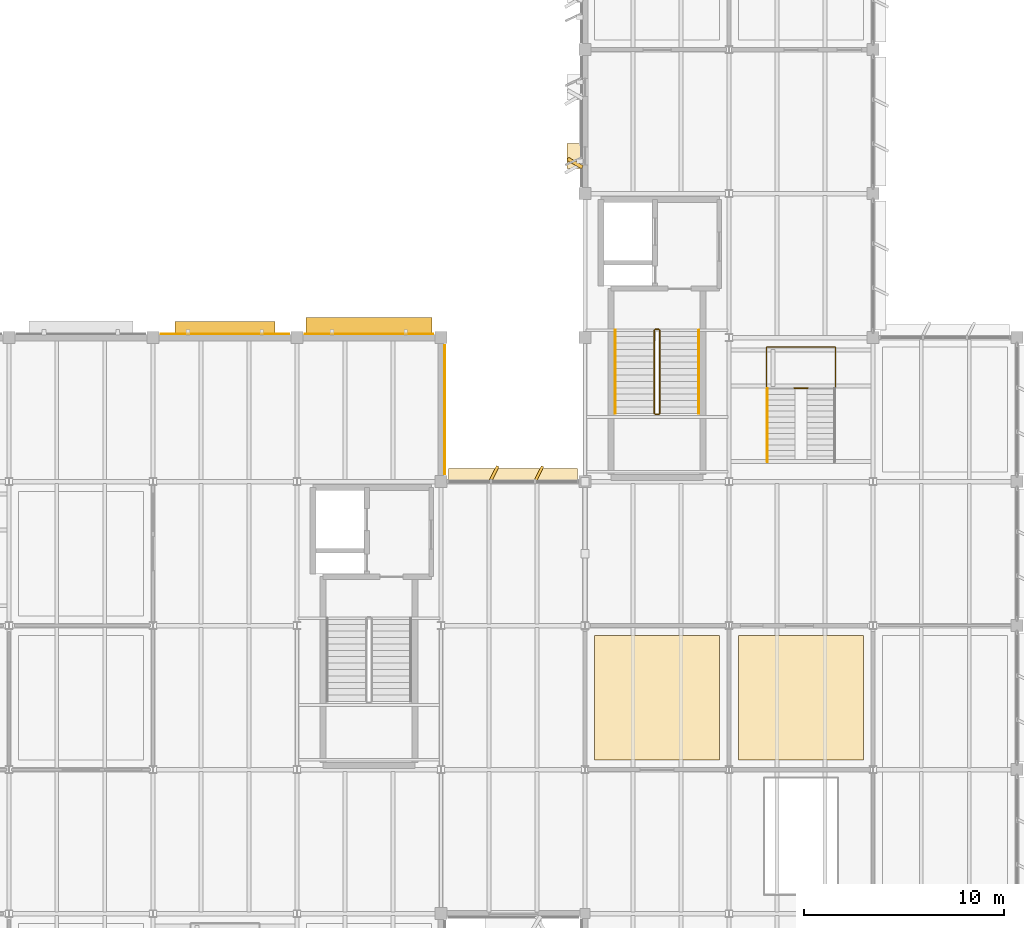
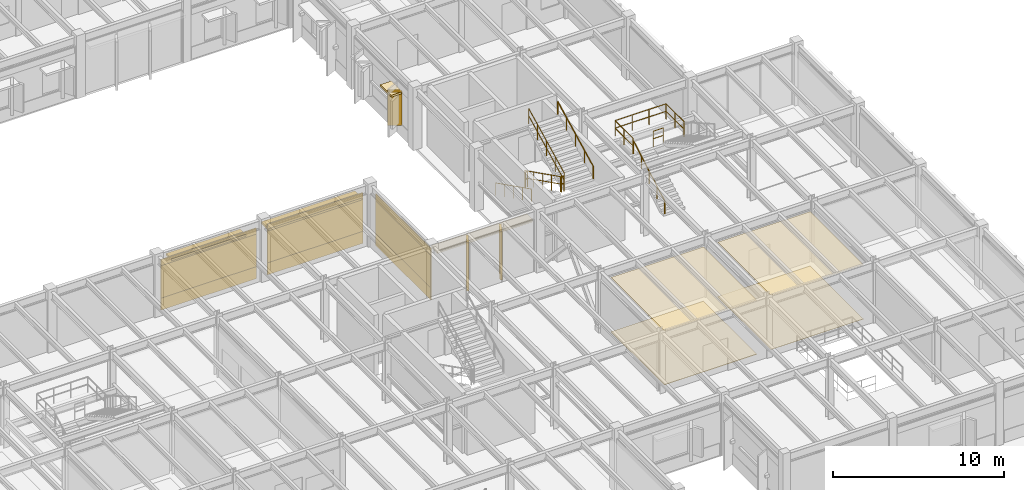
# One storey, part 84 of 92: 18 coverings, 9 railings, 2 shading devices.
"""IFC4 building model written with IfcOpenShell, lengths in metres."""

from ifc_helpers import new_model, si_unit, direction, frame, frame_2d, origin, origin_2d, place, context, subcontext, project, spatial, polyline, rectangle, circle, outline, extrude, material, layer, layer_set, type_object, element, save


model = new_model("IFC4")

# Units and contexts
model_context = context("Model", 3, precision=1e-05, world=origin(), true_north=direction((0.0, 1.0)))
body_context = subcontext(model_context, "Body", "Model", "MODEL_VIEW")
ifc_project = project(units=[si_unit("LENGTHUNIT", "METRE"), si_unit("AREAUNIT", "SQUARE_METRE"), si_unit("VOLUMEUNIT", "CUBIC_METRE"), si_unit("PLANEANGLEUNIT", "RADIAN"), si_unit("MASSUNIT", "GRAM", prefix="KILO")], contexts=[model_context])

# Site, building, storey
site_placement = place(None, origin())
site = spatial("IfcSite", under=ifc_project, at=site_placement, CompositionType="ELEMENT")
building_placement = place(site_placement, origin())
building = spatial("IfcBuilding", under=site, at=building_placement, Name="Sillqori Civic Hall", CompositionType="ELEMENT")
storey_placement = place(building_placement, frame((0.0, 0.0, 5.39990234375)))
storey = spatial("IfcBuildingStorey", under=building, at=storey_placement, Name="L02", CompositionType="ELEMENT", Elevation=5.39990234375)

# Coverings
ifc_material_1 = material(Name="Perforated Acoustic Gypsum Board Ceiling", Category="gypsum")
ifc_layer_1 = layer(ifc_material_1, 0.030029296875)
ifc_layer_set_1 = layer_set([ifc_layer_1], Name="Perforated Acoustic Gypsum Board Ceiling")
covering_type_1 = type_object("IfcCoveringType", Name="COV-CEIL-GYP", PredefinedType="CEILING", material=ifc_layer_set_1)
covering_1_placement = place(storey_placement, frame((0.0, 0.0, 3.87109375)))
element("IfcCovering", 1, at=covering_1_placement, inside=storey, type_object=covering_type_1, Name="Members Library Main Reading Room acoustic ceiling", PredefinedType="CEILING", context=body_context, shape_type="SweptSolid", body=[
    extrude(outline(polyline([(122.8798828125, 36.47998046875), (129.1201171875, 36.47998046875), (129.1201171875, 42.719970703125), (122.8798828125, 42.719970703125), (122.8798828125, 36.47998046875)])), origin(), (0.0, 0.0, 1.0), 0.030029296875),
])
ifc_material_2 = material(Name="Mineral-Fibre High-NRC Tile Ceiling", Category="gypsum")
ifc_layer_2 = layer(ifc_material_2, 0.02392578125)
ifc_layer_set_2 = layer_set([ifc_layer_2], Name="Mineral-Fibre High-NRC Tile Ceiling")
covering_type_2 = type_object("IfcCoveringType", Name="COV-CEIL-MIN", PredefinedType="CEILING", material=ifc_layer_set_2)
covering_2_placement = place(storey_placement, frame((0.0, 0.0, 3.877197265625)))
element("IfcCovering", 2, at=covering_2_placement, inside=storey, type_object=covering_type_2, Name="Library Open Book Stacks South acoustic ceiling", PredefinedType="CEILING", context=body_context, shape_type="SweptSolid", body=[
    extrude(outline(polyline([(130.080078125, 36.47998046875), (136.320068359375, 36.47998046875), (136.320068359375, 42.719970703125), (130.080078125, 42.719970703125), (130.080078125, 36.47998046875)])), origin(), (0.0, 0.0, 1.0), 0.02392578125),
])
ifc_material_3 = material(Name="Cochabamba Honed Limestone Cladding", Category="masonry")
ifc_layer_3 = layer(ifc_material_3, 0.044921875)
ifc_layer_set_3 = layer_set([ifc_layer_3], Name="Cochabamba Honed Limestone Cladding")
covering_type_3 = type_object("IfcCoveringType", Name="COV-CLAD-LIME", PredefinedType="CLADDING", material=ifc_layer_set_3)
covering_3_placement = place(storey_placement, frame((101.179931640625, 57.780029296875, 0.0400390625), z_axis=(0.0, 0.0, 1.0), x_axis=(1.0, 0.0, 0.0)))
element("IfcCovering", 3, at=covering_3_placement, inside=storey, type_object=covering_type_3, Name="L02 limestone spandrel cladding L02-14-07-N", PredefinedType="CLADDING", context=body_context, shape_type="SweptSolid", body=[
    extrude(rectangle(XDim=6.440185546875, YDim=0.044921875, at=frame_2d((3.22021484375, 0.0))), origin(), (0.0, 0.0, 1.0), 0.860107421875),
])
covering_4_placement = place(storey_placement, frame((101.179931640625, 57.780029296875, 3.22021484375), z_axis=(0.0, 0.0, 1.0), x_axis=(1.0, 0.0, 0.0)))
element("IfcCovering", 4, at=covering_4_placement, inside=storey, type_object=covering_type_3, Name="L02 limestone frieze cladding L02-14-07-N", PredefinedType="CLADDING", context=body_context, shape_type="SweptSolid", body=[
    extrude(rectangle(XDim=6.440185546875, YDim=0.044921875, at=frame_2d((3.22021484375, 0.0))), origin(), (0.0, 0.0, 1.0), 0.43798828125),
])
covering_5_placement = place(storey_placement, frame((101.179931640625, 57.780029296875, 0.900146484375), z_axis=(0.0, 0.0, 1.0), x_axis=(1.0, 0.0, 0.0)))
element("IfcCovering", 5, at=covering_5_placement, inside=storey, type_object=covering_type_3, Name="L02 Wedge Hall limestone pier cladding L02-14-07-N.1", PredefinedType="CLADDING", context=body_context, shape_type="SweptSolid", body=[
    extrude(rectangle(XDim=6.440185546875, YDim=0.044921875, at=frame_2d((3.22021484375, 0.0))), origin(), (0.0, 0.0, 1.0), 2.758056640625),
])
covering_6_placement = place(storey_placement, frame((108.3798828125, 57.780029296875, 0.0400390625), z_axis=(0.0, 0.0, 1.0), x_axis=(1.0, 0.0, 0.0)))
element("IfcCovering", 6, at=covering_6_placement, inside=storey, type_object=covering_type_3, Name="L02 limestone spandrel cladding L02-15-07-N", PredefinedType="CLADDING", context=body_context, shape_type="SweptSolid", body=[
    extrude(rectangle(XDim=6.440185546875, YDim=0.044921875, at=frame_2d((3.22021484375, 0.0))), origin(), (0.0, 0.0, 1.0), 0.860107421875),
])
covering_7_placement = place(storey_placement, frame((108.3798828125, 57.780029296875, 3.22021484375), z_axis=(0.0, 0.0, 1.0), x_axis=(1.0, 0.0, 0.0)))
element("IfcCovering", 7, at=covering_7_placement, inside=storey, type_object=covering_type_3, Name="L02 limestone frieze cladding L02-15-07-N", PredefinedType="CLADDING", context=body_context, shape_type="SweptSolid", body=[
    extrude(rectangle(XDim=6.440185546875, YDim=0.044921875, at=frame_2d((3.22021484375, 0.0))), origin(), (0.0, 0.0, 1.0), 0.43798828125),
])
covering_8_placement = place(storey_placement, frame((108.3798828125, 57.780029296875, 0.900146484375), z_axis=(0.0, 0.0, 1.0), x_axis=(1.0, 0.0, 0.0)))
element("IfcCovering", 8, at=covering_8_placement, inside=storey, type_object=covering_type_3, Name="L02 Wedge Hall limestone pier cladding L02-15-07-N.1", PredefinedType="CLADDING", context=body_context, shape_type="SweptSolid", body=[
    extrude(rectangle(XDim=6.440185546875, YDim=0.044921875, at=frame_2d((3.22021484375, 0.0))), origin(), (0.0, 0.0, 1.0), 2.758056640625),
])
covering_9_placement = place(storey_placement, frame((115.3798828125, 57.219970703125, 0.0400390625), z_axis=(0.0, 0.0, 1.0), x_axis=(0.0, -1.0, 0.0)))
element("IfcCovering", 9, at=covering_9_placement, inside=storey, type_object=covering_type_3, Name="L02 limestone spandrel cladding L02-15-07-E", PredefinedType="CLADDING", context=body_context, shape_type="SweptSolid", body=[
    extrude(rectangle(XDim=6.43994140625, YDim=0.044921875, at=frame_2d((3.219970703125, 0.0))), origin(), (0.0, 0.0, 1.0), 0.860107421875),
])
covering_10_placement = place(storey_placement, frame((115.3798828125, 57.219970703125, 3.22021484375), z_axis=(0.0, 0.0, 1.0), x_axis=(0.0, -1.0, 0.0)))
element("IfcCovering", 10, at=covering_10_placement, inside=storey, type_object=covering_type_3, Name="L02 limestone frieze cladding L02-15-07-E", PredefinedType="CLADDING", context=body_context, shape_type="SweptSolid", body=[
    extrude(rectangle(XDim=6.43994140625, YDim=0.044921875, at=frame_2d((3.219970703125, 0.0))), origin(), (0.0, 0.0, 1.0), 0.5068359375),
])
covering_11_placement = place(storey_placement, frame((115.3798828125, 57.219970703125, 0.900146484375), z_axis=(0.0, 0.0, 1.0), x_axis=(0.0, -1.0, 0.0)))
element("IfcCovering", 11, at=covering_11_placement, inside=storey, type_object=covering_type_3, Name="L02 Wedge Hall limestone pier cladding L02-15-07-E.1", PredefinedType="CLADDING", context=body_context, shape_type="SweptSolid", body=[
    extrude(rectangle(XDim=6.43994140625, YDim=0.044921875, at=frame_2d((3.219970703125, 0.0))), origin(), (0.0, 0.0, 1.0), 2.826904296875),
])
covering_12_placement = place(storey_placement, frame((115.580078125, 50.719970703125, 3.51806640625), z_axis=(0.0, 0.0, 1.0), x_axis=(1.0, 0.0, 0.0)))
element("IfcCovering", 12, at=covering_12_placement, inside=storey, type_object=covering_type_3, Name="L02 curtain-wall limestone solar hood L02-16-06-N", PredefinedType="CLADDING", context=body_context, shape_type="SweptSolid", body=[
    extrude(rectangle(XDim=6.43994140625, YDim=0.679931640625, at=frame_2d((3.219970703125, 0.0))), origin(), (0.0, 0.0, 1.0), 0.179931640625),
])
for number, where, z_axis, x_axis, name in (
    (13, (117.677978515625, 50.449951171875, 0.06005859375), (0.0, 0.0, 1.0), (0.447334902547, 0.894366527193, 0.0), "L02 curtain-wall angled stone fin L02-16-06-N.1"),
    (14, (119.922119140625, 50.449951171875, 0.06005859375), (0.0, 0.0, 1.0), (0.44709226377, 0.894487846579, 0.0), "L02 curtain-wall angled stone fin L02-16-06-N.2"),
):
    element("IfcCovering", number, at=place(storey_placement, frame(where, z_axis=z_axis, x_axis=x_axis)), inside=storey, type_object=covering_type_3, Name=name, PredefinedType="CLADDING", context=body_context, shape_type="SweptSolid", body=[
        extrude(rectangle(XDim=0.804931640625, YDim=0.139892578125, at=frame_2d((0.40234375, 0.0))), origin(), (0.0, 0.0, 1.0), 3.4580078125),
    ])
covering_13_placement = place(storey_placement, frame((122.27001953125, 66.114013671875, 0.830078125), z_axis=(0.0, 0.0, 1.0), x_axis=(-0.865989465428, 0.500062241894, 0.0)))
element("IfcCovering", 15, at=covering_13_placement, inside=storey, type_object=covering_type_3, Name="Sawtooth limestone angled reveal cheek L02-17-09-W.1", PredefinedType="CLADDING", context=body_context, shape_type="SweptSolid", body=[
    extrude(rectangle(XDim=0.85009765625, YDim=0.179931640625, at=frame_2d((0.425048828125, 0.0))), origin(), (0.0, 0.0, 1.0), 2.39990234375),
])
covering_14_placement = place(storey_placement, frame((121.889892578125, 66.053955078125, 3.090087890625), z_axis=(0.0, 0.0, 1.0), x_axis=(0.0, 1.0, 0.0)))
element("IfcCovering", 16, at=covering_14_placement, inside=storey, type_object=covering_type_3, Name="Sawtooth limestone window hood L02-17-09-W.1", PredefinedType="CLADDING", context=body_context, shape_type="SweptSolid", body=[
    extrude(rectangle(XDim=1.260009765625, YDim=0.780029296875, at=frame_2d((0.6298828125, 0.0))), origin(), (0.0, 0.0, 1.0), 0.139892578125),
])
ifc_material_4 = material(Name="Slip-Resistant R11 Porcelain Tile", Category="ceramic")
ifc_layer_4 = layer(ifc_material_4, 0.02001953125)
ifc_layer_set_4 = layer_set([ifc_layer_4], Name="Slip-Resistant R11 Porcelain Tile")
covering_type_4 = type_object("IfcCoveringType", Name="COV-FLR-POR", PredefinedType="FLOORING", material=ifc_layer_set_4)
covering_15_placement = place(storey_placement, origin())
element("IfcCovering", 17, at=covering_15_placement, inside=storey, type_object=covering_type_4, Name="Library Open Book Stacks South floor finish", PredefinedType="FLOORING", context=body_context, shape_type="SweptSolid", body=[
    extrude(outline(polyline([(130.080078125, 36.47998046875), (136.320068359375, 36.47998046875), (136.320068359375, 42.719970703125), (130.080078125, 42.719970703125), (130.080078125, 36.47998046875)])), origin(), (0.0, 0.0, 1.0), 0.02001953125),
])
ifc_material_5 = material(Name="Honed Cochabamba Limestone Terrazzo", Category="masonry")
ifc_layer_5 = layer(ifc_material_5, 0.031982421875)
ifc_layer_set_5 = layer_set([ifc_layer_5], Name="Honed Cochabamba Limestone Terrazzo")
covering_type_5 = type_object("IfcCoveringType", Name="COV-FLR-TRZ", PredefinedType="FLOORING", material=ifc_layer_set_5)
covering_16_placement = place(storey_placement, origin())
element("IfcCovering", 18, at=covering_16_placement, inside=storey, type_object=covering_type_5, Name="Members Library Main Reading Room floor finish", PredefinedType="FLOORING", context=body_context, shape_type="SweptSolid", body=[
    extrude(outline(polyline([(122.8798828125, 36.47998046875), (129.1201171875, 36.47998046875), (129.1201171875, 42.719970703125), (122.8798828125, 42.719970703125), (122.8798828125, 36.47998046875)])), origin(), (0.0, 0.0, 1.0), 0.031982421875),
])

# Railings
ifc_material_6 = material(Name="Brushed Stainless Steel 316 Handrail", Category="steel")
ifc_layer_6 = layer(ifc_material_6, 0.044921875)
ifc_layer_set_6 = layer_set([ifc_layer_6], Name="Brushed Stainless Steel 316 Handrail")
railing_type_1 = type_object("IfcRailingType", Name="RLG-CORE-092", PredefinedType="HANDRAIL", material=ifc_layer_set_6)
railing_1_placement = place(storey_placement, frame((123.909912109375, 57.969970703125, 0.160888671875)))
element("IfcRailing", 19, at=railing_1_placement, inside=storey, type_object=railing_type_1, Name="L02 ST-02 stair handrail 1", PredefinedType="HANDRAIL", context=body_context, shape_type="SweptSolid", body=[
    extrude(circle(Radius=0.02392578125, at=origin_2d()), frame((0.0, 0.0, 0.8759765625), z_axis=(0.0, -0.893639106791, 0.448786304173), x_axis=(1.0, 0.0, 0.0)), (0.0, 0.0, 1.0), 4.655029296875),
    extrude(circle(Radius=0.02099609375, at=origin_2d()), origin(), (0.0, 0.0, 1.0), 0.851806640625),
    extrude(circle(Radius=0.02099609375, at=origin_2d()), frame((0.0, -1.0400390625, 0.522216796875)), (0.0, 0.0, 1.0), 0.851806640625),
    extrude(circle(Radius=0.02099609375, at=origin_2d()), frame((0.0, -2.080078125, 1.04443359375)), (0.0, 0.0, 1.0), 0.851806640625),
    extrude(circle(Radius=0.02099609375, at=origin_2d()), frame((0.0, -3.119873046875, 1.56689453125)), (0.0, 0.0, 1.0), 0.851806640625),
    extrude(circle(Radius=0.02099609375, at=origin_2d()), frame((0.0, -4.159912109375, 2.089111328125)), (0.0, 0.0, 1.0), 0.851806640625),
])
railing_2_placement = place(storey_placement, frame((128.090087890625, 53.81005859375, 2.410888671875)))
element("IfcRailing", 20, at=railing_2_placement, inside=storey, type_object=railing_type_1, Name="L02 ST-02 stair handrail 2", PredefinedType="HANDRAIL", context=body_context, shape_type="SweptSolid", body=[
    extrude(circle(Radius=0.02392578125, at=origin_2d()), frame((0.0, 0.0, 0.8759765625), z_axis=(0.0, 0.893639106791, 0.448786304173), x_axis=(-1.0, 0.0, 0.0)), (0.0, 0.0, 1.0), 4.655029296875),
    extrude(circle(Radius=0.02099609375, at=origin_2d()), origin(), (0.0, 0.0, 1.0), 0.851806640625),
    extrude(circle(Radius=0.02099609375, at=origin_2d()), frame((0.0, 1.0400390625, 0.522216796875)), (0.0, 0.0, 1.0), 0.851806640625),
    extrude(circle(Radius=0.02099609375, at=origin_2d()), frame((0.0, 2.080078125, 1.04443359375)), (0.0, 0.0, 1.0), 0.851806640625),
    extrude(circle(Radius=0.02099609375, at=origin_2d()), frame((0.0, 3.119873046875, 1.56689453125)), (0.0, 0.0, 1.0), 0.851806640625),
    extrude(circle(Radius=0.02099609375, at=origin_2d()), frame((0.0, 4.159912109375, 2.089111328125)), (0.0, 0.0, 1.0), 0.851806640625),
])
railing_3_placement = place(storey_placement, frame((131.52001953125, 51.39990234375, 0.160888671875)))
element("IfcRailing", 21, at=railing_3_placement, inside=storey, type_object=railing_type_1, Name="Members Library Stacks Stair L02-L03 handrail W", PredefinedType="HANDRAIL", context=body_context, shape_type="SweptSolid", body=[
    extrude(circle(Radius=0.02392578125, at=origin_2d()), frame((0.0, 0.0, 0.89599609375), z_axis=(0.0, 0.867314486057, 0.497760567216), x_axis=(-1.0, 0.0, 0.0)), (0.0, 0.0, 1.0), 4.197021484375),
    extrude(circle(Radius=0.02099609375, at=origin_2d()), origin(), (0.0, 0.0, 1.0), 0.871826171875),
    extrude(circle(Radius=0.02099609375, at=origin_2d()), frame((0.0, 0.91015625, 0.522216796875)), (0.0, 0.0, 1.0), 0.871826171875),
    extrude(circle(Radius=0.02099609375, at=origin_2d()), frame((0.0, 1.820068359375, 1.04443359375)), (0.0, 0.0, 1.0), 0.871826171875),
    extrude(circle(Radius=0.02099609375, at=origin_2d()), frame((0.0, 2.72998046875, 1.56689453125)), (0.0, 0.0, 1.0), 0.871826171875),
    extrude(circle(Radius=0.02099609375, at=origin_2d()), frame((0.0, 3.64013671875, 2.089111328125)), (0.0, 0.0, 1.0), 0.871826171875),
])
ifc_material_7 = material(Name="Galvanized Painted Steel Guardrail", Category="steel")
ifc_layer_7 = layer(ifc_material_7, 0.050048828125)
ifc_layer_set_7 = layer_set([ifc_layer_7], Name="Galvanized Painted Steel Guardrail")
railing_type_2 = type_object("IfcRailingType", Name="RLG-CORE-110", PredefinedType="GUARDRAIL", material=ifc_layer_set_7)
railing_4_placement = place(storey_placement, frame((125.8701171875, 57.969970703125, 0.160888671875)))
element("IfcRailing", 22, at=railing_4_placement, inside=storey, type_object=railing_type_2, Name="L02 ST-02 stair guard 1", PredefinedType="GUARDRAIL", context=body_context, shape_type="SweptSolid", body=[
    extrude(circle(Radius=0.02392578125, at=origin_2d()), frame((0.0, 0.0, 1.076171875), z_axis=(0.0, -0.893639106791, 0.448786304173), x_axis=(1.0, 0.0, 0.0)), (0.0, 0.0, 1.0), 4.655029296875),
    extrude(circle(Radius=0.02392578125, at=origin_2d()), frame((0.0, 0.0, 0.550048828125), z_axis=(0.0, -0.893639106791, 0.448786304173), x_axis=(1.0, 0.0, 0.0)), (0.0, 0.0, 1.0), 4.655029296875),
    extrude(circle(Radius=0.02099609375, at=origin_2d()), origin(), (0.0, 0.0, 1.0), 1.052001953125),
    extrude(circle(Radius=0.02099609375, at=origin_2d()), frame((0.0, -1.0400390625, 0.522216796875)), (0.0, 0.0, 1.0), 1.052001953125),
    extrude(circle(Radius=0.02099609375, at=origin_2d()), frame((0.0, -2.080078125, 1.04443359375)), (0.0, 0.0, 1.0), 1.052001953125),
    extrude(circle(Radius=0.02099609375, at=origin_2d()), frame((0.0, -3.119873046875, 1.56689453125)), (0.0, 0.0, 1.0), 1.052001953125),
    extrude(circle(Radius=0.02099609375, at=origin_2d()), frame((0.0, -4.159912109375, 2.089111328125)), (0.0, 0.0, 1.0), 1.052001953125),
])
railing_5_placement = place(storey_placement, frame((125.919921875, 53.760009765625, 2.25)))
element("IfcRailing", 23, at=railing_5_placement, inside=storey, type_object=railing_type_2, Name="L02 ST-02 stair guard 2", PredefinedType="GUARDRAIL", context=body_context, shape_type="SweptSolid", body=[
    extrude(circle(Radius=0.02392578125, at=origin_2d()), frame((0.0, 0.0, 1.076171875), z_axis=(1.0, 0.0, 0.0), x_axis=(0.0, 1.0, 0.0)), (0.0, 0.0, 1.0), 0.16015625),
    extrude(circle(Radius=0.02392578125, at=origin_2d()), frame((0.0, 0.0, 0.550048828125), z_axis=(1.0, 0.0, 0.0), x_axis=(0.0, 1.0, 0.0)), (0.0, 0.0, 1.0), 0.16015625),
    extrude(circle(Radius=0.02099609375, at=origin_2d()), origin(), (0.0, 0.0, 1.0), 1.052001953125),
    extrude(circle(Radius=0.02099609375, at=origin_2d()), frame((0.16015625, 0.0, 0.0)), (0.0, 0.0, 1.0), 1.052001953125),
])
railing_6_placement = place(storey_placement, frame((126.1298828125, 53.81005859375, 2.410888671875)))
element("IfcRailing", 24, at=railing_6_placement, inside=storey, type_object=railing_type_2, Name="L02 ST-02 stair guard 3", PredefinedType="GUARDRAIL", context=body_context, shape_type="SweptSolid", body=[
    extrude(circle(Radius=0.02392578125, at=origin_2d()), frame((0.0, 0.0, 1.076171875), z_axis=(0.0, 0.893639106791, 0.448786304173), x_axis=(-1.0, 0.0, 0.0)), (0.0, 0.0, 1.0), 4.655029296875),
    extrude(circle(Radius=0.02392578125, at=origin_2d()), frame((0.0, 0.0, 0.550048828125), z_axis=(0.0, 0.893639106791, 0.448786304173), x_axis=(-1.0, 0.0, 0.0)), (0.0, 0.0, 1.0), 4.655029296875),
    extrude(circle(Radius=0.02099609375, at=origin_2d()), origin(), (0.0, 0.0, 1.0), 1.052001953125),
    extrude(circle(Radius=0.02099609375, at=origin_2d()), frame((0.0, 1.0400390625, 0.522216796875)), (0.0, 0.0, 1.0), 1.052001953125),
    extrude(circle(Radius=0.02099609375, at=origin_2d()), frame((0.0, 2.080078125, 1.04443359375)), (0.0, 0.0, 1.0), 1.052001953125),
    extrude(circle(Radius=0.02099609375, at=origin_2d()), frame((0.0, 3.119873046875, 1.56689453125)), (0.0, 0.0, 1.0), 1.052001953125),
    extrude(circle(Radius=0.02099609375, at=origin_2d()), frame((0.0, 4.159912109375, 2.089111328125)), (0.0, 0.0, 1.0), 1.052001953125),
])
railing_7_placement = place(storey_placement, frame((125.919921875, 58.02001953125, 0.0)))
element("IfcRailing", 25, at=railing_7_placement, inside=storey, type_object=railing_type_2, Name="L02 ST-02 stair guard 4", PredefinedType="GUARDRAIL", context=body_context, shape_type="SweptSolid", body=[
    extrude(circle(Radius=0.02392578125, at=origin_2d()), frame((0.0, 0.0, 1.076171875), z_axis=(1.0, 0.0, 0.0), x_axis=(0.0, 1.0, 0.0)), (0.0, 0.0, 1.0), 0.16015625),
    extrude(circle(Radius=0.02392578125, at=origin_2d()), frame((0.0, 0.0, 0.550048828125), z_axis=(1.0, 0.0, 0.0), x_axis=(0.0, 1.0, 0.0)), (0.0, 0.0, 1.0), 0.16015625),
    extrude(circle(Radius=0.02099609375, at=origin_2d()), origin(), (0.0, 0.0, 1.0), 1.052001953125),
    extrude(circle(Radius=0.02099609375, at=origin_2d()), frame((0.16015625, 0.0, 0.0)), (0.0, 0.0, 1.0), 1.052001953125),
])
ifc_material_8 = material(Name="Stainless Steel 316 and Laminated Balustrade", Category="steel")
ifc_layer_8 = layer(ifc_material_8, 0.06005859375)
ifc_layer_set_8 = layer_set([ifc_layer_8], Name="Stainless Steel 316 and Laminated Balustrade")
railing_type_3 = type_object("IfcRailingType", Name="RLG-TERR-112", PredefinedType="GUARDRAIL", material=ifc_layer_set_8)
railing_8_placement = place(storey_placement, frame((131.47998046875, 55.0400390625, 2.25)))
element("IfcRailing", 26, at=railing_8_placement, inside=storey, type_object=railing_type_3, Name="Members Library Stacks Stair L02-L03 half-landing guard", PredefinedType="GUARDRAIL", context=body_context, shape_type="SweptSolid", body=[
    extrude(circle(Radius=0.02392578125, at=origin_2d()), frame((0.0, 0.0, 1.09619140625), z_axis=(0.0, 1.0, 0.0), x_axis=(-1.0, 0.0, 0.0)), (0.0, 0.0, 1.0), 2.08984375),
    extrude(circle(Radius=0.02392578125, at=origin_2d()), frame((0.0, 0.0, 0.56005859375), z_axis=(0.0, 1.0, 0.0), x_axis=(-1.0, 0.0, 0.0)), (0.0, 0.0, 1.0), 2.08984375),
    extrude(circle(Radius=0.02392578125, at=origin_2d()), frame((0.0, 2.08984375, 1.09619140625), z_axis=(1.0, 0.0, 0.0), x_axis=(0.0, 1.0, 0.0)), (0.0, 0.0, 1.0), 3.43994140625),
    extrude(circle(Radius=0.02392578125, at=origin_2d()), frame((0.0, 2.08984375, 0.56005859375), z_axis=(1.0, 0.0, 0.0), x_axis=(0.0, 1.0, 0.0)), (0.0, 0.0, 1.0), 3.43994140625),
    extrude(circle(Radius=0.02392578125, at=origin_2d()), frame((3.43994140625, 2.08984375, 1.09619140625), z_axis=(0.0, -1.0, 0.0), x_axis=(1.0, 0.0, 0.0)), (0.0, 0.0, 1.0), 2.08984375),
    extrude(circle(Radius=0.02392578125, at=origin_2d()), frame((3.43994140625, 2.08984375, 0.56005859375), z_axis=(0.0, -1.0, 0.0), x_axis=(1.0, 0.0, 0.0)), (0.0, 0.0, 1.0), 2.08984375),
    extrude(circle(Radius=0.02099609375, at=origin_2d()), origin(), (0.0, 0.0, 1.0), 1.072021484375),
    extrude(circle(Radius=0.02099609375, at=origin_2d()), frame((0.0, 1.044921875, 0.0)), (0.0, 0.0, 1.0), 1.072021484375),
    extrude(circle(Radius=0.02099609375, at=origin_2d()), frame((0.0, 2.08984375, 0.0)), (0.0, 0.0, 1.0), 1.072021484375),
    extrude(circle(Radius=0.02099609375, at=origin_2d()), frame((1.146728515625, 2.08984375, 0.0)), (0.0, 0.0, 1.0), 1.072021484375),
    extrude(circle(Radius=0.02099609375, at=origin_2d()), frame((2.293212890625, 2.08984375, 0.0)), (0.0, 0.0, 1.0), 1.072021484375),
    extrude(circle(Radius=0.02099609375, at=origin_2d()), frame((3.43994140625, 2.08984375, 0.0)), (0.0, 0.0, 1.0), 1.072021484375),
    extrude(circle(Radius=0.02099609375, at=origin_2d()), frame((3.43994140625, 1.044921875, 0.0)), (0.0, 0.0, 1.0), 1.072021484375),
    extrude(circle(Radius=0.02099609375, at=origin_2d()), frame((3.43994140625, 0.0, 0.0)), (0.0, 0.0, 1.0), 1.072021484375),
])
railing_9_placement = place(storey_placement, frame((132.860107421875, 55.080078125, 2.25)))
element("IfcRailing", 27, at=railing_9_placement, inside=storey, type_object=railing_type_3, Name="Members Library Stacks Stair L02-L03 half-landing inner well guard", PredefinedType="GUARDRAIL", context=body_context, shape_type="SweptSolid", body=[
    extrude(circle(Radius=0.02392578125, at=origin_2d()), frame((0.0, 0.0, 1.09619140625), z_axis=(1.0, 0.0, 0.0), x_axis=(0.0, 1.0, 0.0)), (0.0, 0.0, 1.0), 0.679931640625),
    extrude(circle(Radius=0.02392578125, at=origin_2d()), frame((0.0, 0.0, 0.56005859375), z_axis=(1.0, 0.0, 0.0), x_axis=(0.0, 1.0, 0.0)), (0.0, 0.0, 1.0), 0.679931640625),
    extrude(circle(Radius=0.02099609375, at=origin_2d()), origin(), (0.0, 0.0, 1.0), 1.072021484375),
    extrude(circle(Radius=0.02099609375, at=origin_2d()), frame((0.679931640625, 0.0, 0.0)), (0.0, 0.0, 1.0), 1.072021484375),
])

# Shading devices
ifc_material_9 = material(Name="Anodized Aluminium Solar Control Louvre", Category="aluminium")
shading_device_type_1 = type_object("IfcShadingDeviceType", Name="SHD-HOOD-500", PredefinedType="JALOUSIE", material=ifc_material_9)
shading_device_1_placement = place(storey_placement, frame((104.39990234375, 58.070068359375, 3.3203125), z_axis=(0.0, 0.0, 1.0), x_axis=(1.0, 0.0, 0.0)))
element("IfcShadingDevice", 28, at=shading_device_1_placement, inside=storey, type_object=shading_device_type_1, Name="L02 north solar hood L02-14-07-N", PredefinedType="JALOUSIE", context=body_context, shape_type="SweptSolid", body=[
    extrude(rectangle(XDim=5.0, YDim=0.64990234375, at=origin_2d()), origin(), (0.0, 0.0, 1.0), 0.139892578125),
])
shading_device_type_2 = type_object("IfcShadingDeviceType", Name="SHD-HOOD-640", PredefinedType="JALOUSIE", material=ifc_material_9)
shading_device_2_placement = place(storey_placement, frame((111.60009765625, 58.169921875, 3.169921875), z_axis=(0.0, 0.0, 1.0), x_axis=(1.0, 0.0, 0.0)))
element("IfcShadingDevice", 29, at=shading_device_2_placement, inside=storey, type_object=shading_device_type_2, Name="L02 north solar hood L02-15-07-N", PredefinedType="JALOUSIE", context=body_context, shape_type="SweptSolid", body=[
    extrude(rectangle(XDim=6.300048828125, YDim=0.85009765625, at=origin_2d()), origin(), (0.0, 0.0, 1.0), 0.139892578125),
])

save(model, "model.ifc")
